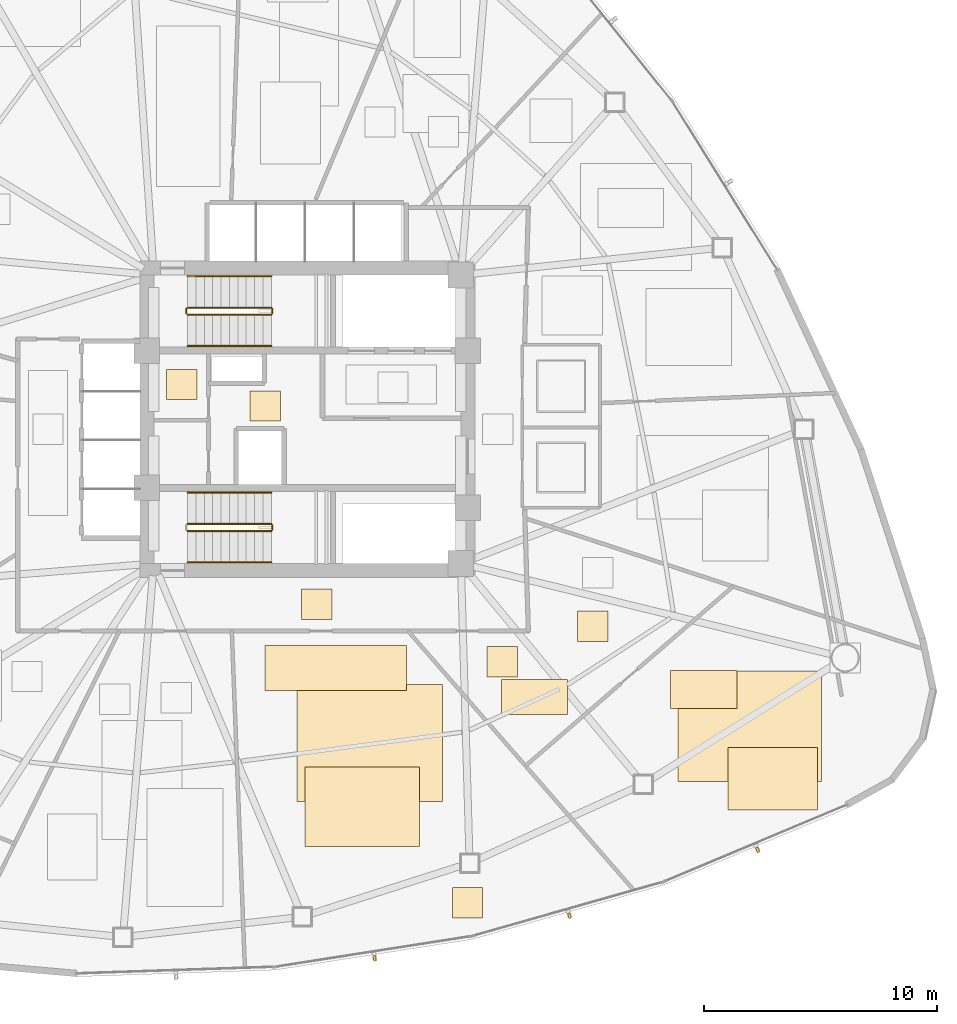
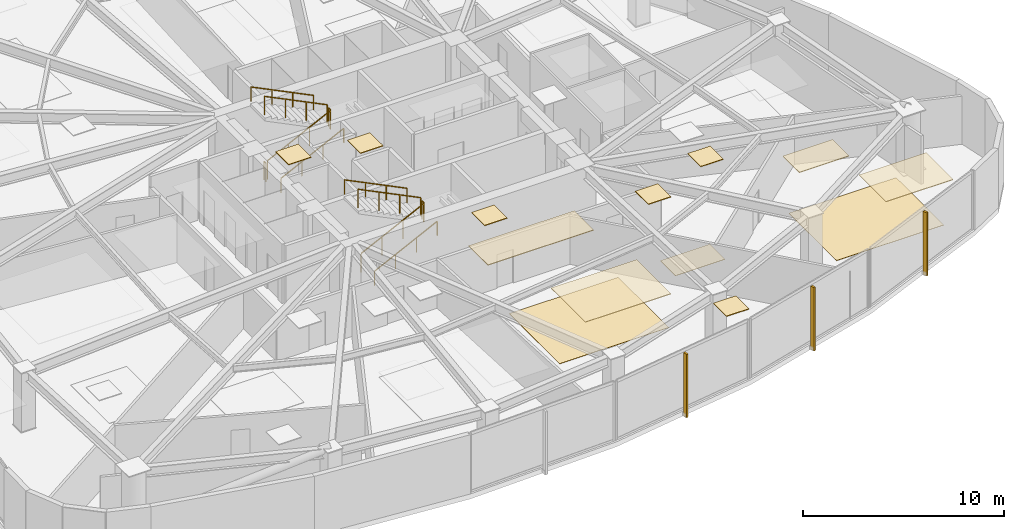
# One storey, part 16 of 18: 13 coverings, 11 railings, 3 shading devices.
"""IFC4 building model written with IfcOpenShell, lengths in metres."""

from ifc_helpers import new_model, si_unit, direction, frame, origin, origin_2d, place, context, subcontext, project, spatial, polyline, rectangle, outline, extrude, source, transform, mapped, material, layer, layer_set, type_object, type_shapes, element, save


model = new_model("IFC4")

# Units and contexts
model_context = context("Model", 3, precision=1e-05, world=origin(), true_north=direction((0.0, 1.0)))
body_context = subcontext(model_context, "Body", "Model", "MODEL_VIEW")
ifc_project = project(units=[si_unit("LENGTHUNIT", "METRE"), si_unit("AREAUNIT", "SQUARE_METRE"), si_unit("VOLUMEUNIT", "CUBIC_METRE"), si_unit("PLANEANGLEUNIT", "RADIAN"), si_unit("MASSUNIT", "GRAM", prefix="KILO")], contexts=[model_context])

# Site, building, storey
site_placement = place(None, origin())
site = spatial("IfcSite", under=ifc_project, at=site_placement, CompositionType="ELEMENT")
building_placement = place(site_placement, origin())
building = spatial("IfcBuilding", under=site, at=building_placement, Name="Tavelor Broadcast Tower", CompositionType="ELEMENT")
storey_placement = place(building_placement, frame((0.0, 0.0, 47.10009765625)))
storey = spatial("IfcBuildingStorey", under=building, at=storey_placement, Name="L10", CompositionType="ELEMENT", Elevation=47.10009765625)

# Covering
ifc_material_1 = material(Name="Copper-Bronze Anodized Aluminium", Category="aluminium")
ifc_layer_1 = layer(ifc_material_1, 0.044921875)
ifc_layer_set_1 = layer_set([ifc_layer_1], Name="Copper-Bronze Anodized Aluminium")
covering_type_1 = type_object("IfcCoveringType", Name="Anodised Bronze Linear Slatted Concourse Ceiling 45 mm", PredefinedType="CEILING", material=ifc_layer_set_1)
covering_1_placement = place(storey_placement, frame((0.0, 0.0, 3.554931640625)))
element("IfcCovering", 1, at=covering_1_placement, inside=storey, type_object=covering_type_1, Name="L10 Suspended Acoustic Ceiling 0344", PredefinedType="CEILING", context=body_context, shape_type="SweptSolid", body=[
    extrude(outline(polyline([(47.5400390625, 44.919921875), (48.840087890625, 44.919921875), (48.840087890625, 46.219970703125), (47.5400390625, 46.219970703125), (47.5400390625, 44.919921875)])), origin(), (0.0, 0.0, 1.0), 0.044921875),
])

# Railings
ifc_material_2 = material(Name="Steel S355", Category="steel")
railing_type_1 = type_object("IfcRailingType", Name="Continuous Brushed Stainless Handrail 900 mm", PredefinedType="HANDRAIL", material=ifc_material_2)
railing_1_placement = place(storey_placement, frame((44.85009765625, 48.14990234375, 0.17724609375)))
element("IfcRailing", 2, at=railing_1_placement, inside=storey, type_object=railing_type_1, Name="L10 ST1 stair handrail 1", PredefinedType="HANDRAIL", context=body_context, shape_type="SweptSolid", body=[
    extrude(rectangle(XDim=0.048095703125, YDim=0.048095703125, at=origin_2d()), frame((0.0, 0.0, 0.8759765625), z_axis=(0.897124305991, 0.0, 0.441778201817), x_axis=(0.0, 1.0, 0.0)), (0.0, 0.0, 1.0), 4.0126953125),
    extrude(rectangle(XDim=0.0419921875, YDim=0.0419921875, at=origin_2d()), origin(), (0.0, 0.0, 1.0), 0.851806640625),
    extrude(rectangle(XDim=0.0419921875, YDim=0.0419921875, at=origin_2d()), frame((1.199951171875, 0.0, 0.5908203125)), (0.0, 0.0, 1.0), 0.851806640625),
    extrude(rectangle(XDim=0.0419921875, YDim=0.0419921875, at=origin_2d()), frame((2.39990234375, 0.0, 1.181884765625)), (0.0, 0.0, 1.0), 0.851806640625),
    extrude(rectangle(XDim=0.0419921875, YDim=0.0419921875, at=origin_2d()), frame((3.599853515625, 0.0, 1.772705078125)), (0.0, 0.0, 1.0), 0.851806640625),
])
railing_2_placement = place(storey_placement, frame((48.449951171875, 51.14990234375, 2.127197265625)))
element("IfcRailing", 3, at=railing_2_placement, inside=storey, type_object=railing_type_1, Name="L10 ST1 stair handrail 2", PredefinedType="HANDRAIL", context=body_context, shape_type="SweptSolid", body=[
    extrude(rectangle(XDim=0.048095703125, YDim=0.048095703125, at=origin_2d()), frame((0.0, 0.0, 0.8759765625), z_axis=(-0.897124305991, 0.0, 0.441778201817), x_axis=(0.0, -1.0, 0.0)), (0.0, 0.0, 1.0), 4.0126953125),
    extrude(rectangle(XDim=0.0419921875, YDim=0.0419921875, at=origin_2d()), origin(), (0.0, 0.0, 1.0), 0.851806640625),
    extrude(rectangle(XDim=0.0419921875, YDim=0.0419921875, at=origin_2d()), frame((-1.199951171875, 0.0, 0.5908203125)), (0.0, 0.0, 1.0), 0.851806640625),
    extrude(rectangle(XDim=0.0419921875, YDim=0.0419921875, at=origin_2d()), frame((-2.39990234375, 0.0, 1.181884765625)), (0.0, 0.0, 1.0), 0.851806640625),
    extrude(rectangle(XDim=0.0419921875, YDim=0.0419921875, at=origin_2d()), frame((-3.599853515625, 0.0, 1.772705078125)), (0.0, 0.0, 1.0), 0.851806640625),
])
railing_3_placement = place(storey_placement, frame((44.85009765625, 38.85009765625, 0.17724609375)))
element("IfcRailing", 4, at=railing_3_placement, inside=storey, type_object=railing_type_1, Name="L10 ST2 stair handrail 1", PredefinedType="HANDRAIL", context=body_context, shape_type="SweptSolid", body=[
    extrude(rectangle(XDim=0.048095703125, YDim=0.048095703125, at=origin_2d()), frame((0.0, 0.0, 0.8759765625), z_axis=(0.897124305991, 0.0, 0.441778201817), x_axis=(0.0, 1.0, 0.0)), (0.0, 0.0, 1.0), 4.0126953125),
    extrude(rectangle(XDim=0.0419921875, YDim=0.0419921875, at=origin_2d()), origin(), (0.0, 0.0, 1.0), 0.851806640625),
    extrude(rectangle(XDim=0.0419921875, YDim=0.0419921875, at=origin_2d()), frame((1.199951171875, 0.0, 0.5908203125)), (0.0, 0.0, 1.0), 0.851806640625),
    extrude(rectangle(XDim=0.0419921875, YDim=0.0419921875, at=origin_2d()), frame((2.39990234375, 0.0, 1.181884765625)), (0.0, 0.0, 1.0), 0.851806640625),
    extrude(rectangle(XDim=0.0419921875, YDim=0.0419921875, at=origin_2d()), frame((3.599853515625, 0.0, 1.772705078125)), (0.0, 0.0, 1.0), 0.851806640625),
])
railing_4_placement = place(storey_placement, frame((48.449951171875, 41.85009765625, 2.127197265625)))
element("IfcRailing", 5, at=railing_4_placement, inside=storey, type_object=railing_type_1, Name="L10 ST2 stair handrail 2", PredefinedType="HANDRAIL", context=body_context, shape_type="SweptSolid", body=[
    extrude(rectangle(XDim=0.048095703125, YDim=0.048095703125, at=origin_2d()), frame((0.0, 0.0, 0.8759765625), z_axis=(-0.897124305991, 0.0, 0.441778201817), x_axis=(0.0, -1.0, 0.0)), (0.0, 0.0, 1.0), 4.0126953125),
    extrude(rectangle(XDim=0.0419921875, YDim=0.0419921875, at=origin_2d()), origin(), (0.0, 0.0, 1.0), 0.851806640625),
    extrude(rectangle(XDim=0.0419921875, YDim=0.0419921875, at=origin_2d()), frame((-1.199951171875, 0.0, 0.5908203125)), (0.0, 0.0, 1.0), 0.851806640625),
    extrude(rectangle(XDim=0.0419921875, YDim=0.0419921875, at=origin_2d()), frame((-2.39990234375, 0.0, 1.181884765625)), (0.0, 0.0, 1.0), 0.851806640625),
    extrude(rectangle(XDim=0.0419921875, YDim=0.0419921875, at=origin_2d()), frame((-3.599853515625, 0.0, 1.772705078125)), (0.0, 0.0, 1.0), 0.851806640625),
])

# Coverings
ifc_material_3 = material(Name="Architectural Anodized Aluminium", Category="aluminium")
ifc_layer_2 = layer(ifc_material_3, 0.034912109375)
ifc_layer_set_2 = layer_set([ifc_layer_2], Name="Architectural Anodized Aluminium")
covering_type_2 = type_object("IfcCoveringType", Name="Demountable Metal Tile Corridor Ceiling 35 mm", PredefinedType="CEILING", material=ifc_layer_set_2)
covering_2_placement = place(storey_placement, frame((0.0, 0.0, 3.56494140625)))
element("IfcCovering", 6, at=covering_2_placement, inside=storey, type_object=covering_type_2, Name="L10 Suspended Acoustic Ceiling 0347", PredefinedType="CEILING", context=body_context, shape_type="SweptSolid", body=[
    extrude(outline(polyline([(49.75244140625, 36.39990234375), (51.052490234375, 36.39990234375), (51.052490234375, 37.699951171875), (49.75244140625, 37.699951171875), (49.75244140625, 36.39990234375)])), origin(), (0.0, 0.0, 1.0), 0.034912109375),
])
ifc_material_4 = material(Name="Acoustic Nylon Carpet Tile")
ifc_layer_3 = layer(ifc_material_4, 0.02001953125)
ifc_layer_set_3 = layer_set([ifc_layer_3], Name="Acoustic Nylon Carpet Tile")
covering_type_3 = type_object("IfcCoveringType", Name="Heavy-Duty Acoustic Broadcast Carpet Tile 20 mm", PredefinedType="FLOORING", material=ifc_layer_set_3)
covering_3_placement = place(storey_placement, origin())
element("IfcCovering", 7, at=covering_3_placement, inside=storey, type_object=covering_type_3, Name="L10 Broadcast Floor Finish 0124", PredefinedType="FLOORING", context=body_context, shape_type="SweptSolid", body=[
    extrude(outline(polyline([(49.545166015625, 28.576904296875), (55.811279296875, 28.576904296875), (55.811279296875, 33.599609375), (49.545166015625, 33.599609375), (49.545166015625, 28.576904296875)])), origin(), (0.0, 0.0, 1.0), 0.02001953125),
])
covering_4_placement = place(storey_placement, origin())
element("IfcCovering", 8, at=covering_4_placement, inside=storey, type_object=covering_type_3, Name="L10 Broadcast Floor Finish 0134", PredefinedType="FLOORING", context=body_context, shape_type="SweptSolid", body=[
    extrude(outline(polyline([(65.942626953125, 29.4375), (72.10205078125, 29.4375), (72.10205078125, 34.179931640625), (65.942626953125, 34.179931640625), (65.942626953125, 29.4375)])), origin(), (0.0, 0.0, 1.0), 0.02001953125),
])
covering_5_placement = place(storey_placement, origin())
element("IfcCovering", 9, at=covering_5_placement, inside=storey, type_object=covering_type_3, Name="L10 Broadcast Floor Finish 0135", PredefinedType="FLOORING", context=body_context, shape_type="SweptSolid", body=[
    extrude(outline(polyline([(58.348388671875, 32.30615234375), (61.190673828125, 32.30615234375), (61.190673828125, 33.81396484375), (58.348388671875, 33.81396484375), (58.348388671875, 32.30615234375)])), origin(), (0.0, 0.0, 1.0), 0.02001953125),
])

# Railings
railing_type_2 = type_object("IfcRailingType", Name="Stairwell Steel Safety Guardrail 1150 mm", PredefinedType="GUARDRAIL", material=ifc_material_2)
railing_5_placement = place(storey_placement, frame((44.85009765625, 49.5, 0.17724609375)))
element("IfcRailing", 10, at=railing_5_placement, inside=storey, type_object=railing_type_2, Name="L10 ST1 stair guard 1", PredefinedType="GUARDRAIL", context=body_context, shape_type="SweptSolid", body=[
    extrude(rectangle(XDim=0.048095703125, YDim=0.048095703125, at=origin_2d()), frame((0.0, 0.0, 1.1259765625), z_axis=(0.897124305991, 0.0, 0.441778201817), x_axis=(0.0, 1.0, 0.0)), (0.0, 0.0, 1.0), 4.0126953125),
    extrude(rectangle(XDim=0.0419921875, YDim=0.0419921875, at=origin_2d()), origin(), (0.0, 0.0, 1.0), 1.101806640625),
    extrude(rectangle(XDim=0.0419921875, YDim=0.0419921875, at=origin_2d()), frame((1.199951171875, 0.0, 0.5908203125)), (0.0, 0.0, 1.0), 1.101806640625),
    extrude(rectangle(XDim=0.0419921875, YDim=0.0419921875, at=origin_2d()), frame((2.39990234375, 0.0, 1.181884765625)), (0.0, 0.0, 1.0), 1.101806640625),
    extrude(rectangle(XDim=0.0419921875, YDim=0.0419921875, at=origin_2d()), frame((3.599853515625, 0.0, 1.772705078125)), (0.0, 0.0, 1.0), 1.101806640625),
])
railing_6_placement = place(storey_placement, frame((48.5, 49.550048828125, 1.949951171875)))
element("IfcRailing", 11, at=railing_6_placement, inside=storey, type_object=railing_type_2, Name="L10 ST1 stair guard 2", PredefinedType="GUARDRAIL", context=body_context, shape_type="SweptSolid", body=[
    extrude(rectangle(XDim=0.048095703125, YDim=0.048095703125, at=origin_2d()), frame((0.0, 0.0, 1.1259765625), z_axis=(0.0, 1.0, 0.0), x_axis=(-1.0, 0.0, 0.0)), (0.0, 0.0, 1.0), 0.199951171875),
    extrude(rectangle(XDim=0.0419921875, YDim=0.0419921875, at=origin_2d()), origin(), (0.0, 0.0, 1.0), 1.101806640625),
    extrude(rectangle(XDim=0.0419921875, YDim=0.0419921875, at=origin_2d()), frame((0.0, 0.199951171875, 0.0)), (0.0, 0.0, 1.0), 1.101806640625),
])
railing_7_placement = place(storey_placement, frame((48.449951171875, 49.800048828125, 2.127197265625)))
element("IfcRailing", 12, at=railing_7_placement, inside=storey, type_object=railing_type_2, Name="L10 ST1 stair guard 3", PredefinedType="GUARDRAIL", context=body_context, shape_type="SweptSolid", body=[
    extrude(rectangle(XDim=0.048095703125, YDim=0.048095703125, at=origin_2d()), frame((0.0, 0.0, 1.1259765625), z_axis=(-0.897124305991, 0.0, 0.441778201817), x_axis=(0.0, -1.0, 0.0)), (0.0, 0.0, 1.0), 4.0126953125),
    extrude(rectangle(XDim=0.0419921875, YDim=0.0419921875, at=origin_2d()), origin(), (0.0, 0.0, 1.0), 1.101806640625),
    extrude(rectangle(XDim=0.0419921875, YDim=0.0419921875, at=origin_2d()), frame((-1.199951171875, 0.0, 0.5908203125)), (0.0, 0.0, 1.0), 1.101806640625),
    extrude(rectangle(XDim=0.0419921875, YDim=0.0419921875, at=origin_2d()), frame((-2.39990234375, 0.0, 1.181884765625)), (0.0, 0.0, 1.0), 1.101806640625),
    extrude(rectangle(XDim=0.0419921875, YDim=0.0419921875, at=origin_2d()), frame((-3.599853515625, 0.0, 1.772705078125)), (0.0, 0.0, 1.0), 1.101806640625),
])
railing_8_placement = place(storey_placement, frame((44.800048828125, 49.550048828125, 0.0)))
element("IfcRailing", 13, at=railing_8_placement, inside=storey, type_object=railing_type_2, Name="L10 ST1 stair guard 4", PredefinedType="GUARDRAIL", context=body_context, shape_type="SweptSolid", body=[
    extrude(rectangle(XDim=0.048095703125, YDim=0.048095703125, at=origin_2d()), frame((0.0, 0.0, 1.1259765625), z_axis=(0.0, 1.0, 0.0), x_axis=(-1.0, 0.0, 0.0)), (0.0, 0.0, 1.0), 0.199951171875),
    extrude(rectangle(XDim=0.0419921875, YDim=0.0419921875, at=origin_2d()), origin(), (0.0, 0.0, 1.0), 1.101806640625),
    extrude(rectangle(XDim=0.0419921875, YDim=0.0419921875, at=origin_2d()), frame((0.0, 0.199951171875, 0.0)), (0.0, 0.0, 1.0), 1.101806640625),
])
railing_9_placement = place(storey_placement, frame((44.85009765625, 40.199951171875, 0.17724609375)))
element("IfcRailing", 14, at=railing_9_placement, inside=storey, type_object=railing_type_2, Name="L10 ST2 stair guard 1", PredefinedType="GUARDRAIL", context=body_context, shape_type="SweptSolid", body=[
    extrude(rectangle(XDim=0.048095703125, YDim=0.048095703125, at=origin_2d()), frame((0.0, 0.0, 1.1259765625), z_axis=(0.897124305991, 0.0, 0.441778201817), x_axis=(0.0, 1.0, 0.0)), (0.0, 0.0, 1.0), 4.0126953125),
    extrude(rectangle(XDim=0.0419921875, YDim=0.0419921875, at=origin_2d()), origin(), (0.0, 0.0, 1.0), 1.101806640625),
    extrude(rectangle(XDim=0.0419921875, YDim=0.0419921875, at=origin_2d()), frame((1.199951171875, 0.0, 0.5908203125)), (0.0, 0.0, 1.0), 1.101806640625),
    extrude(rectangle(XDim=0.0419921875, YDim=0.0419921875, at=origin_2d()), frame((2.39990234375, 0.0, 1.181884765625)), (0.0, 0.0, 1.0), 1.101806640625),
    extrude(rectangle(XDim=0.0419921875, YDim=0.0419921875, at=origin_2d()), frame((3.599853515625, 0.0, 1.772705078125)), (0.0, 0.0, 1.0), 1.101806640625),
])
railing_10_placement = place(storey_placement, frame((48.5, 40.25, 1.949951171875)))
element("IfcRailing", 15, at=railing_10_placement, inside=storey, type_object=railing_type_2, Name="L10 ST2 stair guard 2", PredefinedType="GUARDRAIL", context=body_context, shape_type="SweptSolid", body=[
    extrude(rectangle(XDim=0.048095703125, YDim=0.048095703125, at=origin_2d()), frame((0.0, 0.0, 1.1259765625), z_axis=(0.0, 1.0, 0.0), x_axis=(-1.0, 0.0, 0.0)), (0.0, 0.0, 1.0), 0.199951171875),
    extrude(rectangle(XDim=0.0419921875, YDim=0.0419921875, at=origin_2d()), origin(), (0.0, 0.0, 1.0), 1.101806640625),
    extrude(rectangle(XDim=0.0419921875, YDim=0.0419921875, at=origin_2d()), frame((0.0, 0.199951171875, 0.0)), (0.0, 0.0, 1.0), 1.101806640625),
])
railing_11_placement = place(storey_placement, frame((48.449951171875, 40.5, 2.127197265625)))
element("IfcRailing", 16, at=railing_11_placement, inside=storey, type_object=railing_type_2, Name="L10 ST2 stair guard 3", PredefinedType="GUARDRAIL", context=body_context, shape_type="SweptSolid", body=[
    extrude(rectangle(XDim=0.048095703125, YDim=0.048095703125, at=origin_2d()), frame((0.0, 0.0, 1.1259765625), z_axis=(-0.897124305991, 0.0, 0.441778201817), x_axis=(0.0, -1.0, 0.0)), (0.0, 0.0, 1.0), 4.0126953125),
    extrude(rectangle(XDim=0.0419921875, YDim=0.0419921875, at=origin_2d()), origin(), (0.0, 0.0, 1.0), 1.101806640625),
    extrude(rectangle(XDim=0.0419921875, YDim=0.0419921875, at=origin_2d()), frame((-1.199951171875, 0.0, 0.5908203125)), (0.0, 0.0, 1.0), 1.101806640625),
    extrude(rectangle(XDim=0.0419921875, YDim=0.0419921875, at=origin_2d()), frame((-2.39990234375, 0.0, 1.181884765625)), (0.0, 0.0, 1.0), 1.101806640625),
    extrude(rectangle(XDim=0.0419921875, YDim=0.0419921875, at=origin_2d()), frame((-3.599853515625, 0.0, 1.772705078125)), (0.0, 0.0, 1.0), 1.101806640625),
])

# Coverings
ifc_material_5 = material(Name="Acoustic Mineral Fibre Tile")
ifc_layer_4 = layer(ifc_material_5, 0.0400390625)
ifc_layer_set_4 = layer_set([ifc_layer_4], Name="Acoustic Mineral Fibre Tile")
covering_type_4 = type_object("IfcCoveringType", Name="Suspended Acoustic Mineral-Fibre Office Ceiling 40 mm", PredefinedType="CEILING", material=ifc_layer_set_4)
covering_6_placement = place(storey_placement, frame((0.0, 0.0, 3.559814453125)))
element("IfcCovering", 17, at=covering_6_placement, inside=storey, type_object=covering_type_4, Name="L10 Suspended Acoustic Ceiling 0345", PredefinedType="CEILING", context=body_context, shape_type="SweptSolid", body=[
    extrude(outline(polyline([(43.951416015625, 45.843017578125), (45.25146484375, 45.843017578125), (45.25146484375, 47.14306640625), (43.951416015625, 47.14306640625), (43.951416015625, 45.843017578125)])), origin(), (0.0, 0.0, 1.0), 0.0400390625),
])
covering_7_placement = place(storey_placement, frame((0.0, 0.0, 3.559814453125)))
element("IfcCovering", 18, at=covering_7_placement, inside=storey, type_object=covering_type_4, Name="L10 Suspended Acoustic Ceiling 0351", PredefinedType="CEILING", context=body_context, shape_type="SweptSolid", body=[
    extrude(outline(polyline([(48.1826171875, 33.3515625), (54.263671875, 33.3515625), (54.263671875, 35.2783203125), (48.1826171875, 35.2783203125), (48.1826171875, 33.3515625)])), origin(), (0.0, 0.0, 1.0), 0.0400390625),
])
covering_8_placement = place(storey_placement, frame((0.0, 0.0, 3.559814453125)))
element("IfcCovering", 19, at=covering_8_placement, inside=storey, type_object=covering_type_4, Name="L10 Suspended Acoustic Ceiling 0352", PredefinedType="CEILING", context=body_context, shape_type="SweptSolid", body=[
    extrude(outline(polyline([(56.234375, 23.571533203125), (57.534423828125, 23.571533203125), (57.534423828125, 24.87158203125), (56.234375, 24.87158203125), (56.234375, 23.571533203125)])), origin(), (0.0, 0.0, 1.0), 0.0400390625),
])
covering_9_placement = place(storey_placement, frame((0.0, 0.0, 3.559814453125)))
element("IfcCovering", 20, at=covering_9_placement, inside=storey, type_object=covering_type_4, Name="L10 Suspended Acoustic Ceiling 0353", PredefinedType="CEILING", context=body_context, shape_type="SweptSolid", body=[
    extrude(outline(polyline([(49.9033203125, 26.638916015625), (54.817138671875, 26.638916015625), (54.817138671875, 30.0517578125), (49.9033203125, 30.0517578125), (49.9033203125, 26.638916015625)])), origin(), (0.0, 0.0, 1.0), 0.0400390625),
])
covering_10_placement = place(storey_placement, frame((0.0, 0.0, 3.559814453125)))
element("IfcCovering", 21, at=covering_10_placement, inside=storey, type_object=covering_type_4, Name="L10 Suspended Acoustic Ceiling 0382", PredefinedType="CEILING", context=body_context, shape_type="SweptSolid", body=[
    extrude(outline(polyline([(65.6083984375, 32.5654296875), (68.475830078125, 32.5654296875), (68.475830078125, 34.199951171875), (65.6083984375, 34.199951171875), (65.6083984375, 32.5654296875)])), origin(), (0.0, 0.0, 1.0), 0.0400390625),
])
covering_11_placement = place(storey_placement, frame((0.0, 0.0, 3.559814453125)))
element("IfcCovering", 22, at=covering_11_placement, inside=storey, type_object=covering_type_4, Name="L10 Suspended Acoustic Ceiling 0383", PredefinedType="CEILING", context=body_context, shape_type="SweptSolid", body=[
    extrude(outline(polyline([(68.074462890625, 28.207763671875), (71.933837890625, 28.207763671875), (71.933837890625, 30.887451171875), (68.074462890625, 30.887451171875), (68.074462890625, 28.207763671875)])), origin(), (0.0, 0.0, 1.0), 0.0400390625),
])
covering_12_placement = place(storey_placement, frame((0.0, 0.0, 3.559814453125)))
element("IfcCovering", 23, at=covering_12_placement, inside=storey, type_object=covering_type_4, Name="L10 Suspended Acoustic Ceiling 0384", PredefinedType="CEILING", context=body_context, shape_type="SweptSolid", body=[
    extrude(outline(polyline([(61.615966796875, 35.45458984375), (62.916015625, 35.45458984375), (62.916015625, 36.754638671875), (61.615966796875, 36.754638671875), (61.615966796875, 35.45458984375)])), origin(), (0.0, 0.0, 1.0), 0.0400390625),
])
covering_13_placement = place(storey_placement, frame((0.0, 0.0, 3.559814453125)))
element("IfcCovering", 24, at=covering_13_placement, inside=storey, type_object=covering_type_4, Name="L10 Suspended Acoustic Ceiling 0386", PredefinedType="CEILING", context=body_context, shape_type="SweptSolid", body=[
    extrude(outline(polyline([(57.7255859375, 33.928955078125), (59.025634765625, 33.928955078125), (59.025634765625, 35.22900390625), (57.7255859375, 35.22900390625), (57.7255859375, 33.928955078125)])), origin(), (0.0, 0.0, 1.0), 0.0400390625),
])

# Shading devices
ifc_material_6 = material(Name="Kiln-Fired Glazed Terracotta", Category="masonry")
shading_device_type = type_object("IfcShadingDeviceType", Name="Extruded Terracotta Baguette Sun-Screen 110x240", PredefinedType="JALOUSIE", material=ifc_material_6)
shared_shape = source(origin(), body_context, "Body", "SweptSolid", [
    extrude(rectangle(XDim=0.110107421875, YDim=0.239990234375, at=origin_2d()), origin(), (0.0, 0.0, 1.0), 3.840087890625),
])
type_shapes(shading_device_type, [shared_shape])
for number, where, z_axis, x_axis, name in (
    (25, (52.895263671875, 21.825927734375, -0.26025390625), (0.0, 0.0, 1.0), (0.988013809691, 0.15436551383, 0.0), "L10 Terracotta Baguette Fin 78"),
    (26, (61.267822265625, 23.6591796875, -0.26025390625), (0.0, 0.0, 1.0), (0.962075296033, 0.272784025857, 0.0), "L10 Terracotta Baguette Fin 79"),
    (27, (69.357177734375, 26.4921875, -0.26025390625), (0.0, 0.0, 1.0), (0.92199836388, 0.387193771905, 0.0), "L10 Terracotta Baguette Fin 80"),
):
    element("IfcShadingDevice", number, at=place(storey_placement, frame(where, z_axis=z_axis, x_axis=x_axis)), inside=storey, type_object=shading_device_type, Name=name, PredefinedType="JALOUSIE", context=body_context, shape_type="MappedRepresentation", body=[
        mapped(shared_shape, transform((0.0, 0.0, 0.0), scale=1.0)),
    ])

save(model, "model.ifc")
